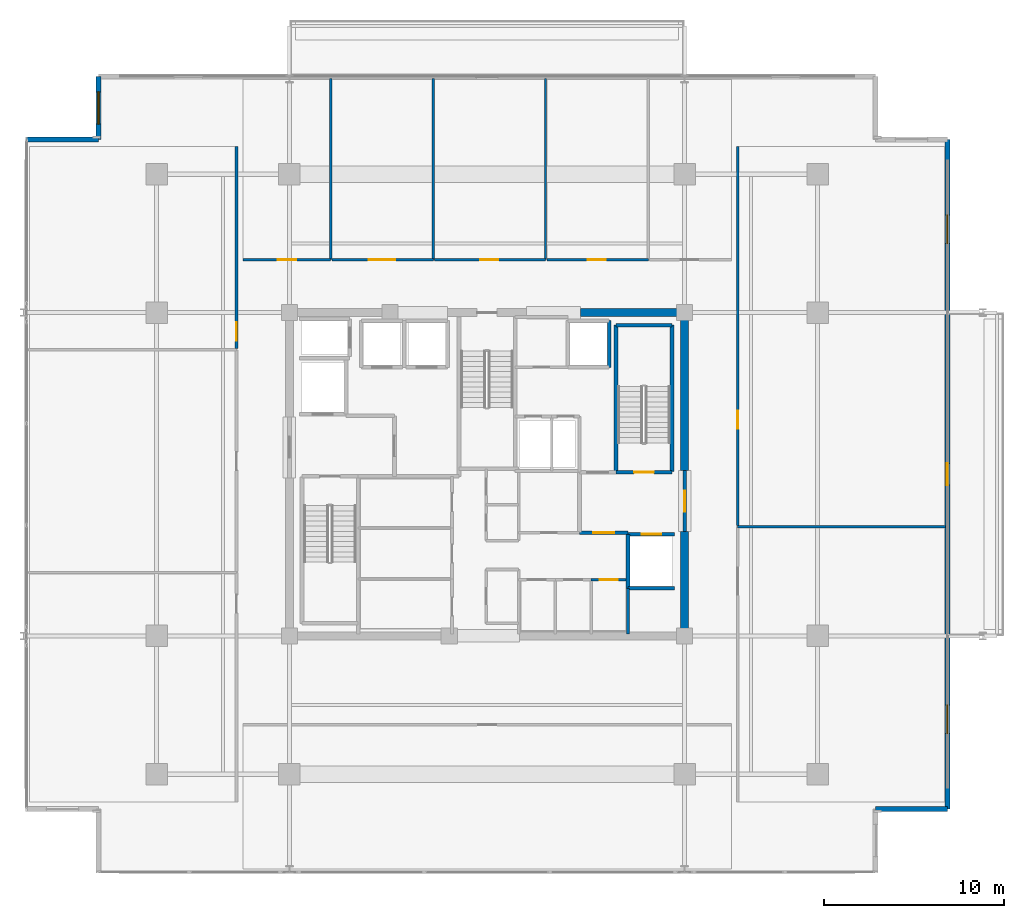
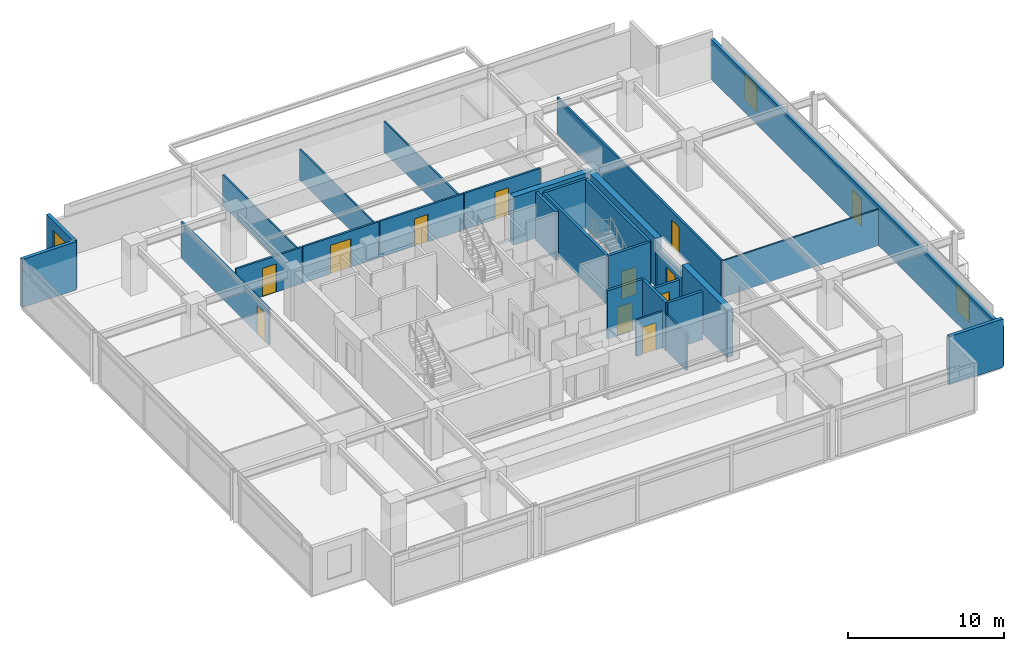
# One storey, part 16 of 21: 29 walls, 12 doors, 3 windows, 15 openings.
"""IFC4 building model written with IfcOpenShell, lengths in metres."""

from ifc_helpers import new_model, si_unit, direction, frame, frame_2d, origin, place, context, subcontext, project, spatial, rectangle, extrude, material, layer, layer_set, type_object, element, fill, save


model = new_model("IFC4")

# Units and contexts
model_context = context("Model", 3, precision=1e-05, world=origin(), true_north=direction((0.0, 1.0)))
body_context = subcontext(model_context, "Body", "Model", "MODEL_VIEW")
ifc_project = project(units=[si_unit("LENGTHUNIT", "METRE"), si_unit("AREAUNIT", "SQUARE_METRE"), si_unit("VOLUMEUNIT", "CUBIC_METRE"), si_unit("PLANEANGLEUNIT", "RADIAN"), si_unit("MASSUNIT", "GRAM", prefix="KILO")], contexts=[model_context])

# Site, building, storey
site_placement = place(None, origin())
site = spatial("IfcSite", under=ifc_project, at=site_placement, CompositionType="ELEMENT")
building_placement = place(site_placement, origin())
building = spatial("IfcBuilding", under=site, at=building_placement, Name="Kovane Verandah Tower", CompositionType="ELEMENT")
storey_placement = place(building_placement, frame((0.0, 0.0, 283.199951171875)))
storey = spatial("IfcBuildingStorey", under=building, at=storey_placement, Name="L66", CompositionType="ELEMENT", Elevation=283.199951171875)

# Wall
ifc_material_1 = material(Name="Fire-Rated Gypsum Stud Partition", Category="gypsum")
ifc_layer_1 = layer(ifc_material_1, 0.14990234375)
ifc_layer_set_1 = layer_set([ifc_layer_1], Name="Fire-Rated Gypsum Stud Partition")
wall_type_1 = type_object("IfcWallType", Name="WL-COR-150", PredefinedType="PARTITIONING", material=ifc_layer_set_1)
wall_1_placement = place(storey_placement, frame((47.85009765625, 18.60009765625, 0.0), z_axis=(0.0, 0.0, 1.0), x_axis=(0.0, 1.0, 0.0)))
element("IfcWall", 1, at=wall_1_placement, inside=storey, type_object=wall_type_1, Name="L66 East Core Support East Wall", PredefinedType="PARTITIONING", context=body_context, shape_type="SweptSolid", body=[
    extrude(rectangle(XDim=2.539794921875, YDim=0.14990234375, at=frame_2d((1.27001953125, 0.0))), origin(), (0.0, 0.0, 1.0), 2.85009765625),
])

# Wall, opening, door
wall_2_placement = place(storey_placement, frame((45.800048828125, 21.6201171875, 0.0), z_axis=(0.0, 0.0, 1.0), x_axis=(1.0, 0.0, 0.0)))
wall_2 = element("IfcWall", 2, at=wall_2_placement, inside=storey, type_object=wall_type_1, Name="L66 Quiet Wellness Room Partition", PredefinedType="PARTITIONING", context=body_context, shape_type="SweptSolid", body=[
    extrude(rectangle(XDim=1.93994140625, YDim=0.14990234375, at=frame_2d((0.969970703125, 0.0))), origin(), (0.0, 0.0, 1.0), 2.85009765625),
])
opening_1_placement = place(wall_2_placement, frame((0.469970703125, 0.0, 0.0)))
opening_1 = element("IfcOpeningElement", 3, at=opening_1_placement, cuts=wall_2, Name="Opening DR-L66-018", PredefinedType="OPENING", context=body_context, shape_type="SweptSolid", body=[
    extrude(rectangle(XDim=1.0, YDim=2.14990234375, at=frame_2d((0.5, 1.074951171875))), frame((0.0, 0.074951171875, 0.0), z_axis=(0.0, -1.0, 0.0), x_axis=(1.0, 0.0, 0.0)), (0.0, 0.0, 1.0), 0.14990234375),
])
ifc_material_2 = material(Name="FSC Spotted-Gum Timber Fire-Rated Office Door", Category="wood")
door_type_1 = type_object("IfcDoorType", Name="DR-OFF-1000", OperationType="SINGLE_SWING_LEFT", PredefinedType="DOOR", material=ifc_material_2)
door_1_placement = place(opening_1_placement, origin())
door_1 = element("IfcDoor", 4, at=door_1_placement, inside=storey, type_object=door_type_1, Name="L66 Quiet Wellness Room Door", OperationType="SINGLE_SWING_LEFT", OverallHeight=2.14990234375, OverallWidth=1.0, PredefinedType="DOOR", context=body_context, shape_type="SweptSolid", body=[
    extrude(rectangle(XDim=1.0, YDim=2.14990234375, at=frame_2d((0.5, 1.074951171875))), frame((0.0, 0.02490234375, 0.0), z_axis=(0.0, -1.0, 0.0), x_axis=(1.0, 0.0, 0.0)), (0.0, 0.0, 1.0), 0.050048828125),
])
fill(opening_1, door_1)

wall_3_placement = place(storey_placement, frame((26.39990234375, 39.449951171875, 0.0), z_axis=(0.0, 0.0, 1.0), x_axis=(1.0, 0.0, 0.0)))
wall_3 = element("IfcWall", 5, at=wall_3_placement, inside=storey, type_object=wall_type_1, Name="L66 Executive Office N1 Corridor Partition", PredefinedType="PARTITIONING", context=body_context, shape_type="SweptSolid", body=[
    extrude(rectangle(XDim=4.89599609375, YDim=0.14990234375, at=frame_2d((2.447998046875, 0.0))), origin(), (0.0, 0.0, 1.0), 2.85009765625),
])
opening_2_placement = place(wall_3_placement, frame((1.93798828125, 0.0, 0.0)))
opening_2 = element("IfcOpeningElement", 6, at=opening_2_placement, cuts=wall_3, Name="Opening DR-L66-023", PredefinedType="OPENING", context=body_context, shape_type="SweptSolid", body=[
    extrude(rectangle(XDim=1.050048828125, YDim=2.199951171875, at=frame_2d((0.52490234375, 1.10009765625))), frame((0.0, 0.074951171875, 0.0), z_axis=(0.0, -1.0, 0.0), x_axis=(1.0, 0.0, 0.0)), (0.0, 0.0, 1.0), 0.14990234375),
])
ifc_material_3 = material(Name="FSC Blackbutt Timber Fire-Rated Executive Door", Category="wood")
door_type_2 = type_object("IfcDoorType", Name="DR-EXEC-1050", OperationType="SINGLE_SWING_LEFT", PredefinedType="DOOR", material=ifc_material_3)
door_2_placement = place(opening_2_placement, origin())
door_2 = element("IfcDoor", 7, at=door_2_placement, inside=storey, type_object=door_type_2, Name="L66 Executive Office N1 Entrance Door", OperationType="SINGLE_SWING_RIGHT", OverallHeight=2.199951171875, OverallWidth=1.050048828125, PredefinedType="DOOR", context=body_context, shape_type="SweptSolid", body=[
    extrude(rectangle(XDim=1.050048828125, YDim=2.199951171875, at=frame_2d((0.52490234375, 1.10009765625))), frame((0.0, 0.02490234375, 0.0), z_axis=(0.0, -1.0, 0.0), x_axis=(1.0, 0.0, 0.0)), (0.0, 0.0, 1.0), 0.050048828125),
])
fill(opening_2, door_2)

wall_4_placement = place(storey_placement, frame((31.365966796875, 39.449951171875, 0.0), z_axis=(0.0, 0.0, 1.0), x_axis=(1.0, 0.0, 0.0)))
wall_4 = element("IfcWall", 8, at=wall_4_placement, inside=storey, type_object=wall_type_1, Name="L66 Client Boardroom N2 Corridor Partition", PredefinedType="PARTITIONING", context=body_context, shape_type="SweptSolid", body=[
    extrude(rectangle(XDim=5.64208984375, YDim=0.14990234375, at=frame_2d((2.821044921875, 0.0))), origin(), (0.0, 0.0, 1.0), 2.85009765625),
])
opening_3_placement = place(wall_4_placement, frame((2.035888671875, 0.0, 0.0)))
opening_3 = element("IfcOpeningElement", 9, at=opening_3_placement, cuts=wall_4, Name="Opening DR-L66-024", PredefinedType="OPENING", context=body_context, shape_type="SweptSolid", body=[
    extrude(rectangle(XDim=1.5, YDim=2.25, at=frame_2d((0.75, 1.125))), frame((0.0, 0.074951171875, 0.0), z_axis=(0.0, -1.0, 0.0), x_axis=(1.0, 0.0, 0.0)), (0.0, 0.0, 1.0), 0.14990234375),
])
ifc_material_4 = material(Name="Glazed Timber Fire-Rated Double Door", Category="wood")
door_type_3 = type_object("IfcDoorType", Name="DR-CONF-1500", OperationType="DOUBLE_DOOR_SINGLE_SWING", PredefinedType="DOOR", material=ifc_material_4)
door_3_placement = place(opening_3_placement, origin())
door_3 = element("IfcDoor", 10, at=door_3_placement, inside=storey, type_object=door_type_3, Name="L66 Client Boardroom N2 Entrance Door", OperationType="DOUBLE_DOOR_SINGLE_SWING", OverallHeight=2.25, OverallWidth=1.5, PredefinedType="DOOR", context=body_context, shape_type="SweptSolid", body=[
    extrude(rectangle(XDim=1.5, YDim=2.25, at=frame_2d((0.75, 1.125))), frame((0.0, 0.02490234375, 0.0), z_axis=(0.0, -1.0, 0.0), x_axis=(1.0, 0.0, 0.0)), (0.0, 0.0, 1.0), 0.050048828125),
])
fill(opening_3, door_3)

wall_5_placement = place(storey_placement, frame((37.077880859375, 39.449951171875, 0.0), z_axis=(0.0, 0.0, 1.0), x_axis=(1.0, 0.0, 0.0)))
wall_5 = element("IfcWall", 11, at=wall_5_placement, inside=storey, type_object=wall_type_1, Name="L66 Meeting Room N3 Corridor Partition", PredefinedType="PARTITIONING", context=body_context, shape_type="SweptSolid", body=[
    extrude(rectangle(XDim=6.18603515625, YDim=0.14990234375, at=frame_2d((3.093017578125, 0.0))), origin(), (0.0, 0.0, 1.0), 2.85009765625),
])
opening_4_placement = place(wall_5_placement, frame((2.55810546875, 0.0, 0.0)))
opening_4 = element("IfcOpeningElement", 12, at=opening_4_placement, cuts=wall_5, Name="Opening DR-L66-025", PredefinedType="OPENING", context=body_context, shape_type="SweptSolid", body=[
    extrude(rectangle(XDim=1.0, YDim=2.14990234375, at=frame_2d((0.5, 1.074951171875))), frame((0.0, 0.074951171875, 0.0), z_axis=(0.0, -1.0, 0.0), x_axis=(1.0, 0.0, 0.0)), (0.0, 0.0, 1.0), 0.14990234375),
])
door_4_placement = place(opening_4_placement, origin())
door_4 = element("IfcDoor", 13, at=door_4_placement, inside=storey, type_object=door_type_1, Name="L66 Meeting Room N3 Entrance Door", OperationType="SINGLE_SWING_RIGHT", OverallHeight=2.14990234375, OverallWidth=1.0, PredefinedType="DOOR", context=body_context, shape_type="SweptSolid", body=[
    extrude(rectangle(XDim=1.0, YDim=2.14990234375, at=frame_2d((0.5, 1.074951171875))), frame((0.0, 0.02490234375, 0.0), z_axis=(0.0, -1.0, 0.0), x_axis=(1.0, 0.0, 0.0)), (0.0, 0.0, 1.0), 0.050048828125),
])
fill(opening_4, door_4)

wall_6_placement = place(storey_placement, frame((43.333984375, 39.449951171875, 0.0), z_axis=(0.0, 0.0, 1.0), x_axis=(1.0, 0.0, 0.0)))
wall_6 = element("IfcWall", 14, at=wall_6_placement, inside=storey, type_object=wall_type_1, Name="L66 Focus Studio N4 Corridor Partition", PredefinedType="PARTITIONING", context=body_context, shape_type="SweptSolid", body=[
    extrude(rectangle(XDim=5.64208984375, YDim=0.14990234375, at=frame_2d((2.821044921875, 0.0))), origin(), (0.0, 0.0, 1.0), 2.85009765625),
])
opening_5_placement = place(wall_6_placement, frame((2.285888671875, 0.0, 0.0)))
opening_5 = element("IfcOpeningElement", 15, at=opening_5_placement, cuts=wall_6, Name="Opening DR-L66-026", PredefinedType="OPENING", context=body_context, shape_type="SweptSolid", body=[
    extrude(rectangle(XDim=1.0, YDim=2.14990234375, at=frame_2d((0.5, 1.074951171875))), frame((0.0, 0.074951171875, 0.0), z_axis=(0.0, -1.0, 0.0), x_axis=(1.0, 0.0, 0.0)), (0.0, 0.0, 1.0), 0.14990234375),
])
door_5_placement = place(opening_5_placement, origin())
door_5 = element("IfcDoor", 16, at=door_5_placement, inside=storey, type_object=door_type_1, Name="L66 Focus Studio N4 Entrance Door", OperationType="SINGLE_SWING_LEFT", OverallHeight=2.14990234375, OverallWidth=1.0, PredefinedType="DOOR", context=body_context, shape_type="SweptSolid", body=[
    extrude(rectangle(XDim=1.0, YDim=2.14990234375, at=frame_2d((0.5, 1.074951171875))), frame((0.0, 0.02490234375, 0.0), z_axis=(0.0, -1.0, 0.0), x_axis=(1.0, 0.0, 0.0)), (0.0, 0.0, 1.0), 0.050048828125),
])
fill(opening_5, door_5)

wall_7_placement = place(storey_placement, frame((26.050048828125, 34.50146484375, 0.0), z_axis=(0.0, 0.0, 1.0), x_axis=(0.0, 1.0, 0.0)))
wall_7 = element("IfcWall", 17, at=wall_7_placement, inside=storey, type_object=wall_type_1, Name="L66 Executive Office W3 Corridor Partition", PredefinedType="PARTITIONING", context=body_context, shape_type="SweptSolid", body=[
    extrude(rectangle(XDim=11.239013671875, YDim=0.14990234375, at=frame_2d((5.61962890625, 0.0))), origin(), (0.0, 0.0, 1.0), 2.85009765625),
])
opening_6_placement = place(wall_7_placement, frame((0.42431640625, 0.0, 0.0)))
opening_6 = element("IfcOpeningElement", 18, at=opening_6_placement, cuts=wall_7, Name="Opening DR-L66-034", PredefinedType="OPENING", context=body_context, shape_type="SweptSolid", body=[
    extrude(rectangle(XDim=1.050048828125, YDim=2.199951171875, at=frame_2d((0.52490234375, 1.10009765625))), frame((0.0, 0.074951171875, 0.0), z_axis=(0.0, -1.0, 0.0), x_axis=(1.0, 0.0, 0.0)), (0.0, 0.0, 1.0), 0.14990234375),
])
door_6_placement = place(opening_6_placement, origin())
door_6 = element("IfcDoor", 19, at=door_6_placement, inside=storey, type_object=door_type_2, Name="L66 Executive Office W3 Entrance Door", OperationType="SINGLE_SWING_RIGHT", OverallHeight=2.199951171875, OverallWidth=1.050048828125, PredefinedType="DOOR", context=body_context, shape_type="SweptSolid", body=[
    extrude(rectangle(XDim=1.050048828125, YDim=2.199951171875, at=frame_2d((0.52490234375, 1.10009765625))), frame((0.0, 0.02490234375, 0.0), z_axis=(0.0, -1.0, 0.0), x_axis=(1.0, 0.0, 0.0)), (0.0, 0.0, 1.0), 0.050048828125),
])
fill(opening_6, door_6)

wall_8_placement = place(storey_placement, frame((53.949951171875, 24.651611328125, 0.0), z_axis=(0.0, 0.0, 1.0), x_axis=(0.0, 1.0, 0.0)))
wall_8 = element("IfcWall", 20, at=wall_8_placement, inside=storey, type_object=wall_type_1, Name="L66 Meeting Room E2 Corridor Partition", PredefinedType="PARTITIONING", context=body_context, shape_type="SweptSolid", body=[
    extrude(rectangle(XDim=21.0888671875, YDim=0.14990234375, at=frame_2d((10.54443359375, 0.0))), origin(), (0.0, 0.0, 1.0), 2.85009765625),
])
opening_7_placement = place(wall_8_placement, frame((5.374267578125, 0.0, 0.0)))
opening_7 = element("IfcOpeningElement", 21, at=opening_7_placement, cuts=wall_8, Name="Opening DR-L66-012", PredefinedType="OPENING", context=body_context, shape_type="SweptSolid", body=[
    extrude(rectangle(XDim=1.0, YDim=2.14990234375, at=frame_2d((0.5, 1.074951171875))), frame((0.0, 0.074951171875, 0.0), z_axis=(0.0, -1.0, 0.0), x_axis=(1.0, 0.0, 0.0)), (0.0, 0.0, 1.0), 0.14990234375),
])
door_7_placement = place(opening_7_placement, origin())
door_7 = element("IfcDoor", 22, at=door_7_placement, inside=storey, type_object=door_type_1, Name="L66 Meeting Room E2 Entrance Door", OperationType="SINGLE_SWING_RIGHT", OverallHeight=2.14990234375, OverallWidth=1.0, PredefinedType="DOOR", context=body_context, shape_type="SweptSolid", body=[
    extrude(rectangle(XDim=1.0, YDim=2.14990234375, at=frame_2d((0.5, 1.074951171875))), frame((0.0, 0.02490234375, 0.0), z_axis=(0.0, -1.0, 0.0), x_axis=(1.0, 0.0, 0.0)), (0.0, 0.0, 1.0), 0.050048828125),
])
fill(opening_7, door_7)

# Walls
ifc_material_5 = material(Name="Concrete C60/75", Category="concrete")
ifc_layer_2 = layer(ifc_material_5, 0.449951171875)
ifc_layer_set_2 = layer_set([ifc_layer_2], Name="Concrete C60/75")
wall_type_2 = type_object("IfcWallType", Name="WL-CORE-450", PredefinedType="SHEAR", material=ifc_layer_set_2)
for number, where, z_axis, x_axis, name in (
    (23, (45.199951171875, 36.5, 0.0), (0.0, 0.0, 1.0), (1.0, 0.0, 0.0), "L66 Core Shear Wall CN-3"),
    (24, (51.0, 18.5, 0.0), (0.0, 0.0, 1.0), (0.0, 1.0, 0.0), "L66 Core Shear Wall CE-1"),
):
    element("IfcWall", number, at=place(storey_placement, frame(where, z_axis=z_axis, x_axis=x_axis)), inside=storey, type_object=wall_type_2, Name=name, PredefinedType="SHEAR", context=body_context, shape_type="SweptSolid", body=[
        extrude(rectangle(XDim=5.800048828125, YDim=0.449951171875, at=frame_2d((2.89990234375, 0.0))), origin(), (0.0, 0.0, 1.0), 3.78515625),
    ])
wall_9_placement = place(storey_placement, frame((51.0, 27.699951171875, 0.0), z_axis=(0.0, 0.0, 1.0), x_axis=(0.0, 1.0, 0.0)))
element("IfcWall", 25, at=wall_9_placement, inside=storey, type_object=wall_type_2, Name="L66 Core Shear Wall CE-2", PredefinedType="SHEAR", context=body_context, shape_type="SweptSolid", body=[
    extrude(rectangle(XDim=8.800048828125, YDim=0.449951171875, at=frame_2d((4.39990234375, 0.0))), origin(), (0.0, 0.0, 1.0), 3.78515625),
])

# Wall, opening, door
ifc_material_6 = material(Name="Concrete C45/55 Fire Wall", Category="concrete")
ifc_layer_3 = layer(ifc_material_6, 0.199951171875)
ifc_layer_set_3 = layer_set([ifc_layer_3], Name="Concrete C45/55 Fire Wall")
wall_type_3 = type_object("IfcWallType", Name="WL-FFL-200", PredefinedType="PARTITIONING", material=ifc_layer_set_3)
wall_10_placement = place(storey_placement, frame((45.14990234375, 24.25, 0.0), z_axis=(0.0, 0.0, 1.0), x_axis=(1.0, 0.0, 0.0)))
wall_10 = element("IfcWall", 26, at=wall_10_placement, inside=storey, type_object=wall_type_3, Name="W-L66-FFLE-S", PredefinedType="PARTITIONING", context=body_context, shape_type="SweptSolid", body=[
    extrude(rectangle(XDim=2.7001953125, YDim=0.199951171875, at=frame_2d((1.35009765625, 0.0))), origin(), (0.0, 0.0, 1.0), 3.78515625),
])
opening_8_placement = place(wall_10_placement, frame((0.77490234375, 0.0, 0.0)))
opening_8 = element("IfcOpeningElement", 27, at=opening_8_placement, cuts=wall_10, Name="Opening DR-L66-003", PredefinedType="OPENING", context=body_context, shape_type="SweptSolid", body=[
    extrude(rectangle(XDim=1.14990234375, YDim=2.199951171875, at=frame_2d((0.574951171875, 1.10009765625))), frame((0.0, 0.10009765625, 0.0), z_axis=(0.0, -1.0, 0.0), x_axis=(1.0, 0.0, 0.0)), (0.0, 0.0, 1.0), 0.199951171875),
])
ifc_material_7 = material(Name="Smoke-Sealed Firefighting Lobby Door", Category="steel")
door_type_4 = type_object("IfcDoorType", Name="DR-FFL-1150", OperationType="SINGLE_SWING_LEFT", PredefinedType="DOOR", material=ifc_material_7)
door_8_placement = place(opening_8_placement, origin())
door_8 = element("IfcDoor", 28, at=door_8_placement, inside=storey, type_object=door_type_4, Name="L66 East Firefighting Lobby Inner Door", OperationType="SINGLE_SWING_RIGHT", OverallHeight=2.199951171875, OverallWidth=1.14990234375, PredefinedType="DOOR", context=body_context, shape_type="SweptSolid", body=[
    extrude(rectangle(XDim=1.14990234375, YDim=2.199951171875, at=frame_2d((0.574951171875, 1.10009765625))), frame((0.0, 0.02490234375, 0.0), z_axis=(0.0, -1.0, 0.0), x_axis=(1.0, 0.0, 0.0)), (0.0, 0.0, 1.0), 0.050048828125),
])
fill(opening_8, door_8)

wall_11_placement = place(storey_placement, frame((51.0, 24.300048828125, 0.0), z_axis=(0.0, 0.0, 1.0), x_axis=(0.0, 1.0, 0.0)))
wall_11 = element("IfcWall", 29, at=wall_11_placement, inside=storey, type_object=wall_type_3, Name="W-L66-FFLE-OUT", PredefinedType="PARTITIONING", context=body_context, shape_type="SweptSolid", body=[
    extrude(rectangle(XDim=3.39990234375, YDim=0.199951171875, at=frame_2d((1.699951171875, 0.0))), origin(), (0.0, 0.0, 1.0), 2.864990234375),
])
opening_9_placement = place(wall_11_placement, frame((1.125, 0.0, 0.0)))
opening_9 = element("IfcOpeningElement", 30, at=opening_9_placement, cuts=wall_11, Name="Opening DR-L66-005", PredefinedType="OPENING", context=body_context, shape_type="SweptSolid", body=[
    extrude(rectangle(XDim=1.14990234375, YDim=2.199951171875, at=frame_2d((0.574951171875, 1.10009765625))), frame((0.0, 0.10009765625, 0.0), z_axis=(0.0, -1.0, 0.0), x_axis=(1.0, 0.0, 0.0)), (0.0, 0.0, 1.0), 0.199951171875),
])
door_9_placement = place(opening_9_placement, origin())
door_9 = element("IfcDoor", 31, at=door_9_placement, inside=storey, type_object=door_type_4, Name="L66 East Firefighting Lobby Corridor Door", OperationType="SINGLE_SWING_LEFT", OverallHeight=2.199951171875, OverallWidth=1.14990234375, PredefinedType="DOOR", context=body_context, shape_type="SweptSolid", body=[
    extrude(rectangle(XDim=1.14990234375, YDim=2.199951171875, at=frame_2d((0.574951171875, 1.10009765625))), frame((0.0, 0.02490234375, 0.0), z_axis=(0.0, -1.0, 0.0), x_axis=(1.0, 0.0, 0.0)), (0.0, 0.0, 1.0), 0.050048828125),
])
fill(opening_9, door_9)

# Wall
ifc_material_8 = material(Name="Concrete C45/55 Lift Shaft Wall", Category="concrete")
ifc_layer_4 = layer(ifc_material_8, 0.199951171875)
ifc_layer_set_4 = layer_set([ifc_layer_4], Name="Concrete C45/55 Lift Shaft Wall")
wall_type_4 = type_object("IfcWallType", Name="WL-LIFT-200", PredefinedType="SOLIDWALL", material=ifc_layer_set_4)
wall_12_placement = place(storey_placement, frame((47.85009765625, 21.14990234375, 0.0), z_axis=(0.0, 0.0, 1.0), x_axis=(1.0, 0.0, 0.0)))
element("IfcWall", 32, at=wall_12_placement, inside=storey, type_object=wall_type_4, Name="L66 Lift FL-02 S Shaft Wall", PredefinedType="SOLIDWALL", context=body_context, shape_type="SweptSolid", body=[
    extrude(rectangle(XDim=2.599853515625, YDim=0.199951171875, at=frame_2d((1.2998046875, 0.0))), origin(), (0.0, 0.0, 1.0), 3.78515625),
])

# Wall, opening, door
wall_13_placement = place(storey_placement, frame((50.449951171875, 24.14990234375, 0.0), z_axis=(0.0, 0.0, 1.0), x_axis=(-1.0, 0.0, 0.0)))
wall_13 = element("IfcWall", 33, at=wall_13_placement, inside=storey, type_object=wall_type_4, Name="L66 Lift FL-02 N Shaft Wall", PredefinedType="SOLIDWALL", context=body_context, shape_type="SweptSolid", body=[
    extrude(rectangle(XDim=2.599853515625, YDim=0.199951171875, at=frame_2d((1.2998046875, 0.0))), origin(), (0.0, 0.0, 1.0), 2.864990234375),
])
opening_10_placement = place(wall_13_placement, frame((0.75, 0.0, 0.0)))
opening_10 = element("IfcOpeningElement", 34, at=opening_10_placement, cuts=wall_13, Name="Opening LD-L66-002", PredefinedType="OPENING", context=body_context, shape_type="SweptSolid", body=[
    extrude(rectangle(XDim=1.10009765625, YDim=2.199951171875, at=frame_2d((0.550048828125, 1.10009765625))), frame((0.0, 0.10009765625, 0.0), z_axis=(0.0, -1.0, 0.0), x_axis=(1.0, 0.0, 0.0)), (0.0, 0.0, 1.0), 0.199951171875),
])
ifc_material_9 = material(Name="Brushed Stainless Steel Sliding Lift Landing Door", Category="steel")
door_type_5 = type_object("IfcDoorType", Name="DR-LIFT-1100", OperationType="SLIDING_TO_RIGHT", PredefinedType="DOOR", material=ifc_material_9)
door_10_placement = place(opening_10_placement, origin())
door_10 = element("IfcDoor", 35, at=door_10_placement, inside=storey, type_object=door_type_5, Name="L66 Lift FL-02 Sliding Landing Door", OperationType="SLIDING_TO_RIGHT", OverallHeight=2.199951171875, OverallWidth=1.10009765625, PredefinedType="DOOR", context=body_context, shape_type="SweptSolid", body=[
    extrude(rectangle(XDim=1.10009765625, YDim=2.199951171875, at=frame_2d((0.550048828125, 1.10009765625))), frame((0.0, 0.02490234375, 0.0), z_axis=(0.0, -1.0, 0.0), x_axis=(1.0, 0.0, 0.0)), (0.0, 0.0, 1.0), 0.050048828125),
])
fill(opening_10, door_10)

# Walls
wall_14_placement = place(storey_placement, frame((47.85009765625, 24.14990234375, 0.0), z_axis=(0.0, 0.0, 1.0), x_axis=(0.0, -1.0, 0.0)))
element("IfcWall", 36, at=wall_14_placement, inside=storey, type_object=wall_type_4, Name="L66 Lift FL-02 W Shaft Wall", PredefinedType="SOLIDWALL", context=body_context, shape_type="SweptSolid", body=[
    extrude(rectangle(XDim=3.0, YDim=0.199951171875, at=frame_2d((1.5, 0.0))), origin(), (0.0, 0.0, 1.0), 3.78515625),
])
wall_15_placement = place(storey_placement, frame((46.800048828125, 33.449951171875, 0.0), z_axis=(0.0, 0.0, 1.0), x_axis=(0.0, 1.0, 0.0)))
element("IfcWall", 37, at=wall_15_placement, inside=storey, type_object=wall_type_4, Name="L66 Lift OL-01 E Shaft Wall", PredefinedType="SOLIDWALL", context=body_context, shape_type="SweptSolid", body=[
    extrude(rectangle(XDim=2.60009765625, YDim=0.199951171875, at=frame_2d((1.300048828125, 0.0))), origin(), (0.0, 0.0, 1.0), 3.78515625),
])
ifc_material_10 = material(Name="Acoustic Fire-Rated Gypsum Partition", Category="gypsum")
ifc_layer_5 = layer(ifc_material_10, 0.1201171875)
ifc_layer_set_5 = layer_set([ifc_layer_5], Name="Acoustic Fire-Rated Gypsum Partition")
wall_type_5 = type_object("IfcWallType", Name="WL-PART-120", PredefinedType="PARTITIONING", material=ifc_layer_set_5)
for number, where, z_axis, x_axis, name in (
    (38, (31.2958984375, 39.449951171875, 0.0), (0.0, 0.0, 1.0), (0.0, 1.0, 0.0), "L66 Executive Office N1 Dividing Partition"),
    (39, (37.008056640625, 39.449951171875, 0.0), (0.0, 0.0, 1.0), (0.0, 1.0, 0.0), "L66 Client Boardroom N2 Dividing Partition"),
    (40, (43.263916015625, 39.449951171875, 0.0), (0.0, 0.0, 1.0), (0.0, 1.0, 0.0), "L66 Meeting Room N3 Dividing Partition"),
):
    element("IfcWall", number, at=place(storey_placement, frame(where, z_axis=z_axis, x_axis=x_axis)), inside=storey, type_object=wall_type_5, Name=name, PredefinedType="PARTITIONING", context=body_context, shape_type="SweptSolid", body=[
        extrude(rectangle(XDim=10.09033203125, YDim=0.1201171875, at=frame_2d((5.045166015625, 0.0))), origin(), (0.0, 0.0, 1.0), 2.4150390625),
    ])
wall_16_placement = place(storey_placement, frame((53.949951171875, 24.58154296875, 0.0), z_axis=(0.0, 0.0, 1.0), x_axis=(1.0, 0.0, 0.0)))
element("IfcWall", 41, at=wall_16_placement, inside=storey, type_object=wall_type_5, Name="L66 Client Boardroom E1 Dividing Partition", PredefinedType="PARTITIONING", context=body_context, shape_type="SweptSolid", body=[
    extrude(rectangle(XDim=11.581298828125, YDim=0.1201171875, at=frame_2d((5.79052734375, 0.0))), origin(), (0.0, 0.0, 1.0), 2.85009765625),
])
ifc_material_11 = material(Name="Concrete C45/55", Category="concrete")
ifc_layer_6 = layer(ifc_material_11, 0.199951171875)
ifc_layer_set_6 = layer_set([ifc_layer_6], Name="Concrete C45/55")
wall_type_6 = type_object("IfcWallType", Name="WL-SHAFT-200", PredefinedType="SOLIDWALL", material=ifc_layer_set_6)
wall_17_placement = place(storey_placement, frame((50.300048828125, 27.64990234375, 0.0), z_axis=(0.0, 0.0, 1.0), x_axis=(0.0, 1.0, 0.0)))
element("IfcWall", 42, at=wall_17_placement, inside=storey, type_object=wall_type_6, Name="W-L66-ST02-E", PredefinedType="SOLIDWALL", context=body_context, shape_type="SweptSolid", body=[
    extrude(rectangle(XDim=8.150146484375, YDim=0.199951171875, at=frame_2d((4.0751953125, 0.0))), origin(), (0.0, 0.0, 1.0), 3.78515625),
])
wall_18_placement = place(storey_placement, frame((47.179931640625, 35.800048828125, 0.0), z_axis=(0.0, 0.0, 1.0), x_axis=(1.0, 0.0, 0.0)))
element("IfcWall", 43, at=wall_18_placement, inside=storey, type_object=wall_type_6, Name="W-L66-ST02-N", PredefinedType="SOLIDWALL", context=body_context, shape_type="SweptSolid", body=[
    extrude(rectangle(XDim=3.1201171875, YDim=0.199951171875, at=frame_2d((1.56005859375, 0.0))), origin(), (0.0, 0.0, 1.0), 3.78515625),
])
wall_19_placement = place(storey_placement, frame((47.179931640625, 27.6201171875, 0.0), z_axis=(0.0, 0.0, 1.0), x_axis=(0.0, 1.0, 0.0)))
element("IfcWall", 44, at=wall_19_placement, inside=storey, type_object=wall_type_6, Name="W-L66-ST02-W", PredefinedType="SOLIDWALL", context=body_context, shape_type="SweptSolid", body=[
    extrude(rectangle(XDim=8.179931640625, YDim=0.199951171875, at=frame_2d((4.08984375, 0.0))), origin(), (0.0, 0.0, 1.0), 3.78515625),
])

# Wall, opening, door
wall_20_placement = place(storey_placement, frame((47.179931640625, 27.6201171875, 0.0), z_axis=(0.0, 0.0, 1.0), x_axis=(1.0, 0.0, 0.0)))
wall_20 = element("IfcWall", 45, at=wall_20_placement, inside=storey, type_object=wall_type_6, Name="W-L66-ST02-S", PredefinedType="SOLIDWALL", context=body_context, shape_type="SweptSolid", body=[
    extrude(rectangle(XDim=3.1201171875, YDim=0.199951171875, at=frame_2d((1.56005859375, 0.0))), origin(), (0.0, 0.0, 1.0), 3.78515625),
])
opening_11_placement = place(wall_20_placement, frame((1.010009765625, 0.0, 0.0)))
opening_11 = element("IfcOpeningElement", 46, at=opening_11_placement, cuts=wall_20, Name="Opening DR-L66-009", PredefinedType="OPENING", context=body_context, shape_type="SweptSolid", body=[
    extrude(rectangle(XDim=1.10009765625, YDim=2.14990234375, at=frame_2d((0.550048828125, 1.074951171875))), frame((0.0, 0.10009765625, 0.0), z_axis=(0.0, -1.0, 0.0), x_axis=(1.0, 0.0, 0.0)), (0.0, 0.0, 1.0), 0.199951171875),
])
ifc_material_12 = material(Name="Fire-Rated Steel Exit Door", Category="steel")
door_type_6 = type_object("IfcDoorType", Name="DR-STAIR-1100", OperationType="SINGLE_SWING_LEFT", PredefinedType="DOOR", material=ifc_material_12)
door_11_placement = place(opening_11_placement, origin())
door_11 = element("IfcDoor", 47, at=door_11_placement, inside=storey, type_object=door_type_6, Name="L66 ST-02 Fire Exit Stair Door", OperationType="SINGLE_SWING_LEFT", OverallHeight=2.14990234375, OverallWidth=1.10009765625, PredefinedType="DOOR", context=body_context, shape_type="SweptSolid", body=[
    extrude(rectangle(XDim=1.10009765625, YDim=2.14990234375, at=frame_2d((0.550048828125, 1.074951171875))), frame((0.0, 0.02490234375, 0.0), z_axis=(0.0, -1.0, 0.0), x_axis=(1.0, 0.0, 0.0)), (0.0, 0.0, 1.0), 0.050048828125),
])
fill(opening_11, door_11)

# Wall, openings, door, windows
ifc_material_13 = material(Name="Concrete C45/55 Insulated Spandrel Wall", Category="concrete")
ifc_layer_7 = layer(ifc_material_13, 0.260009765625)
ifc_layer_set_7 = layer_set([ifc_layer_7], Name="Concrete C45/55 Insulated Spandrel Wall")
wall_type_7 = type_object("IfcWallType", Name="WL-SPANDREL-260", PredefinedType="PARAPET", material=ifc_layer_set_7)
wall_21_placement = place(storey_placement, frame((65.63134765625, 8.859619140625, 0.0), z_axis=(0.0, 0.0, 1.0), x_axis=(0.0, 1.0, 0.0)))
wall_21 = element("IfcWall", 48, at=wall_21_placement, inside=storey, type_object=wall_type_7, Name="L66 E Verandah Access Facade Wall", PredefinedType="PARAPET", context=body_context, shape_type="SweptSolid", body=[
    extrude(rectangle(XDim=37.28076171875, YDim=0.260009765625, at=frame_2d((18.640380859375, 0.0))), origin(), (0.0, 0.0, 1.0), 3.122802734375),
])
opening_12_placement = place(wall_21_placement, frame((4.199951171875, 0.0, 0.85009765625)))
opening_12 = element("IfcOpeningElement", 49, at=opening_12_placement, cuts=wall_21, Name="Opening W-02", PredefinedType="OPENING", context=body_context, shape_type="SweptSolid", body=[
    extrude(rectangle(XDim=1.60009765625, YDim=2.10009765625, at=frame_2d((0.800048828125, 1.050048828125))), frame((0.0, 0.1298828125, 0.0), z_axis=(0.0, -1.0, 0.0), x_axis=(1.0, 0.0, 0.0)), (0.0, 0.0, 1.0), 0.260009765625),
])
opening_13_placement = place(wall_21_placement, frame((18.040283203125, 0.0, 0.0)))
opening_13 = element("IfcOpeningElement", 50, at=opening_13_placement, cuts=wall_21, Name="Opening DR-L66-001", PredefinedType="OPENING", context=body_context, shape_type="SweptSolid", body=[
    extrude(rectangle(XDim=1.199951171875, YDim=2.199951171875, at=frame_2d((0.60009765625, 1.10009765625))), frame((0.0, 0.1298828125, 0.0), z_axis=(0.0, -1.0, 0.0), x_axis=(1.0, 0.0, 0.0)), (0.0, 0.0, 1.0), 0.260009765625),
])
opening_14_placement = place(wall_21_placement, frame((31.480712890625, 0.0, 0.85009765625)))
opening_14 = element("IfcOpeningElement", 51, at=opening_14_placement, cuts=wall_21, Name="Opening W-02", PredefinedType="OPENING", context=body_context, shape_type="SweptSolid", body=[
    extrude(rectangle(XDim=1.60009765625, YDim=2.10009765625, at=frame_2d((0.800048828125, 1.050048828125))), frame((0.0, 0.1298828125, 0.0), z_axis=(0.0, -1.0, 0.0), x_axis=(1.0, 0.0, 0.0)), (0.0, 0.0, 1.0), 0.260009765625),
])
ifc_material_14 = material(Name="Cyclone-Rated Glazed Balcony Leaf Door", Category="aluminium")
door_type_7 = type_object("IfcDoorType", Name="DR-BAL-1200x2200", OperationType="SINGLE_SWING_LEFT", PredefinedType="DOOR", material=ifc_material_14)
door_12_placement = place(opening_13_placement, origin())
door_12 = element("IfcDoor", 52, at=door_12_placement, inside=storey, type_object=door_type_7, Name="L66 E Planted Balcony Access Door", OperationType="SINGLE_SWING_LEFT", OverallHeight=2.199951171875, OverallWidth=1.199951171875, PredefinedType="DOOR", context=body_context, shape_type="SweptSolid", body=[
    extrude(rectangle(XDim=1.199951171875, YDim=2.199951171875, at=frame_2d((0.60009765625, 1.10009765625))), frame((0.0, 0.02490234375, 0.0), z_axis=(0.0, -1.0, 0.0), x_axis=(1.0, 0.0, 0.0)), (0.0, 0.0, 1.0), 0.050048828125),
])
fill(opening_13, door_12)
ifc_material_15 = material(Name="Clear Low-E Laminated Double Glazing in Anodised Frame", Category="glass")
window_type_1 = type_object("IfcWindowType", Name="WN-OPER-1600x2100", PartitioningType="SINGLE_PANEL", PredefinedType="WINDOW", material=ifc_material_15)
window_1_placement = place(opening_12_placement, origin())
window_1 = element("IfcWindow", 53, at=window_1_placement, inside=storey, type_object=window_type_1, Name="L66 E Verandah View Window 1", OverallHeight=2.10009765625, OverallWidth=1.60009765625, PartitioningType="SINGLE_PANEL", PredefinedType="WINDOW", context=body_context, shape_type="SweptSolid", body=[
    extrude(rectangle(XDim=1.60009765625, YDim=2.10009765625, at=frame_2d((0.800048828125, 1.050048828125))), frame((0.0, 0.030029296875, 0.0), z_axis=(0.0, -1.0, 0.0), x_axis=(1.0, 0.0, 0.0)), (0.0, 0.0, 1.0), 0.06005859375),
])
fill(opening_12, window_1)
window_2_placement = place(opening_14_placement, origin())
window_2 = element("IfcWindow", 54, at=window_2_placement, inside=storey, type_object=window_type_1, Name="L66 E Verandah View Window 2", OverallHeight=2.10009765625, OverallWidth=1.60009765625, PartitioningType="SINGLE_PANEL", PredefinedType="WINDOW", context=body_context, shape_type="SweptSolid", body=[
    extrude(rectangle(XDim=1.60009765625, YDim=2.10009765625, at=frame_2d((0.800048828125, 1.050048828125))), frame((0.0, 0.030029296875, 0.0), z_axis=(0.0, -1.0, 0.0), x_axis=(1.0, 0.0, 0.0)), (0.0, 0.0, 1.0), 0.06005859375),
])
fill(opening_14, window_2)

# Wall
wall_22_placement = place(storey_placement, frame((61.63134765625, 8.859619140625, 0.0), z_axis=(0.0, 0.0, 1.0), x_axis=(1.0, 0.0, 0.0)))
element("IfcWall", 55, at=wall_22_placement, inside=storey, type_object=wall_type_7, Name="L66 SE Notch Cheek Wall 2", PredefinedType="PARAPET", context=body_context, shape_type="SweptSolid", body=[
    extrude(rectangle(XDim=4.0, YDim=0.260009765625, at=frame_2d((2.0, 0.0))), origin(), (0.0, 0.0, 1.0), 3.78515625),
])

# Wall, opening, window
wall_23_placement = place(storey_placement, frame((18.36865234375, 49.640380859375, 0.0), z_axis=(0.0, 0.0, 1.0), x_axis=(0.0, -1.0, 0.0)))
wall_23 = element("IfcWall", 56, at=wall_23_placement, inside=storey, type_object=wall_type_7, Name="L66 NW Notch Cheek Wall 1", PredefinedType="PARAPET", context=body_context, shape_type="SweptSolid", body=[
    extrude(rectangle(XDim=3.5, YDim=0.260009765625, at=frame_2d((1.75, 0.0))), origin(), (0.0, 0.0, 1.0), 3.78515625),
])
opening_15_placement = place(wall_23_placement, frame((0.85009765625, 0.0, 0.85009765625)))
opening_15 = element("IfcOpeningElement", 57, at=opening_15_placement, cuts=wall_23, Name="Opening W-03", PredefinedType="OPENING", context=body_context, shape_type="SweptSolid", body=[
    extrude(rectangle(XDim=1.800048828125, YDim=2.199951171875, at=frame_2d((0.89990234375, 1.10009765625))), frame((0.0, 0.1298828125, 0.0), z_axis=(0.0, -1.0, 0.0), x_axis=(1.0, 0.0, 0.0)), (0.0, 0.0, 1.0), 0.260009765625),
])
window_type_2 = type_object("IfcWindowType", Name="WN-NOTCH-1800x2200", PartitioningType="SINGLE_PANEL", PredefinedType="WINDOW", material=ifc_material_15)
window_3_placement = place(opening_15_placement, origin())
window_3 = element("IfcWindow", 58, at=window_3_placement, inside=storey, type_object=window_type_2, Name="L66 NW Re-Entrant Corner Operable Window", OverallHeight=2.199951171875, OverallWidth=1.800048828125, PartitioningType="SINGLE_PANEL", PredefinedType="WINDOW", context=body_context, shape_type="SweptSolid", body=[
    extrude(rectangle(XDim=1.800048828125, YDim=2.199951171875, at=frame_2d((0.89990234375, 1.10009765625))), frame((0.0, 0.030029296875, 0.0), z_axis=(0.0, -1.0, 0.0), x_axis=(1.0, 0.0, 0.0)), (0.0, 0.0, 1.0), 0.06005859375),
])
fill(opening_15, window_3)

# Wall
wall_24_placement = place(storey_placement, frame((18.36865234375, 46.140380859375, 0.0), z_axis=(0.0, 0.0, 1.0), x_axis=(-1.0, 0.0, 0.0)))
element("IfcWall", 59, at=wall_24_placement, inside=storey, type_object=wall_type_7, Name="L66 NW Notch Cheek Wall 2", PredefinedType="PARAPET", context=body_context, shape_type="SweptSolid", body=[
    extrude(rectangle(XDim=4.0, YDim=0.260009765625, at=frame_2d((2.0, 0.0))), origin(), (0.0, 0.0, 1.0), 3.78515625),
])

save(model, "model.ifc")
